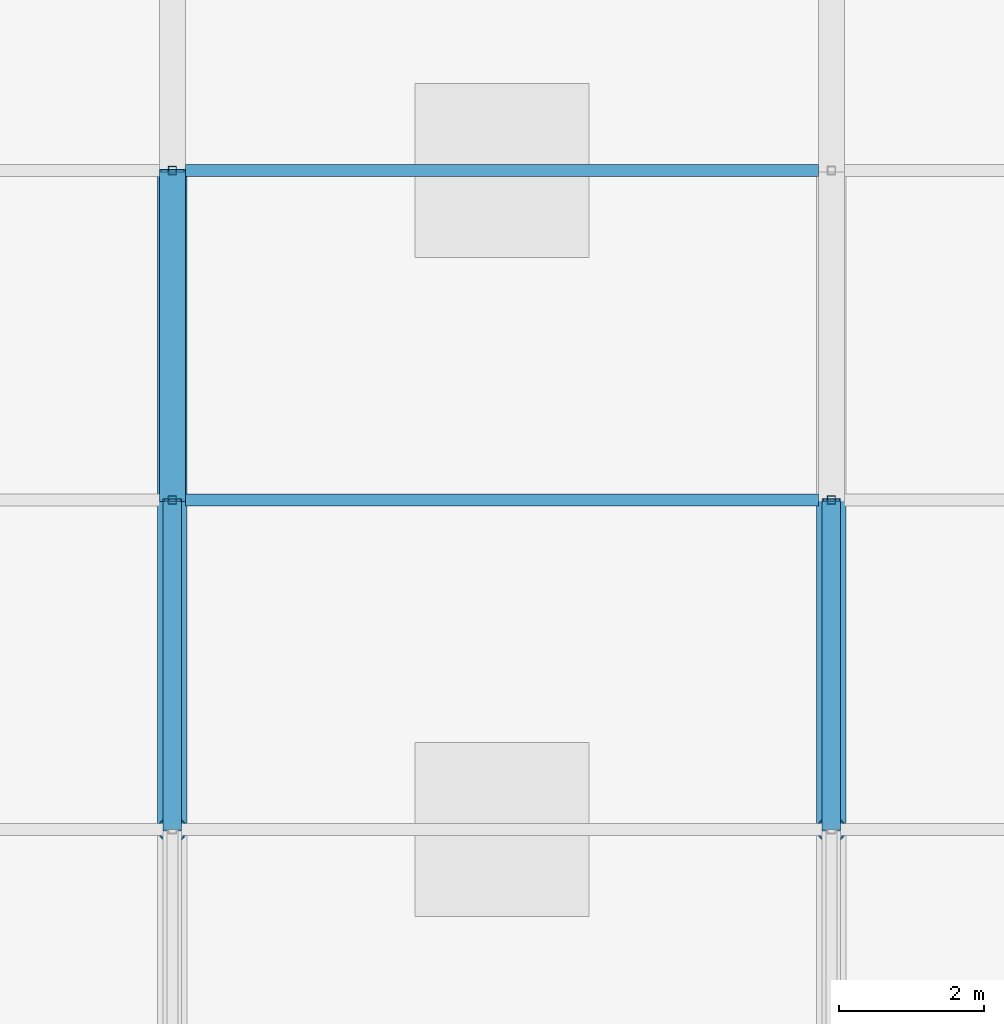
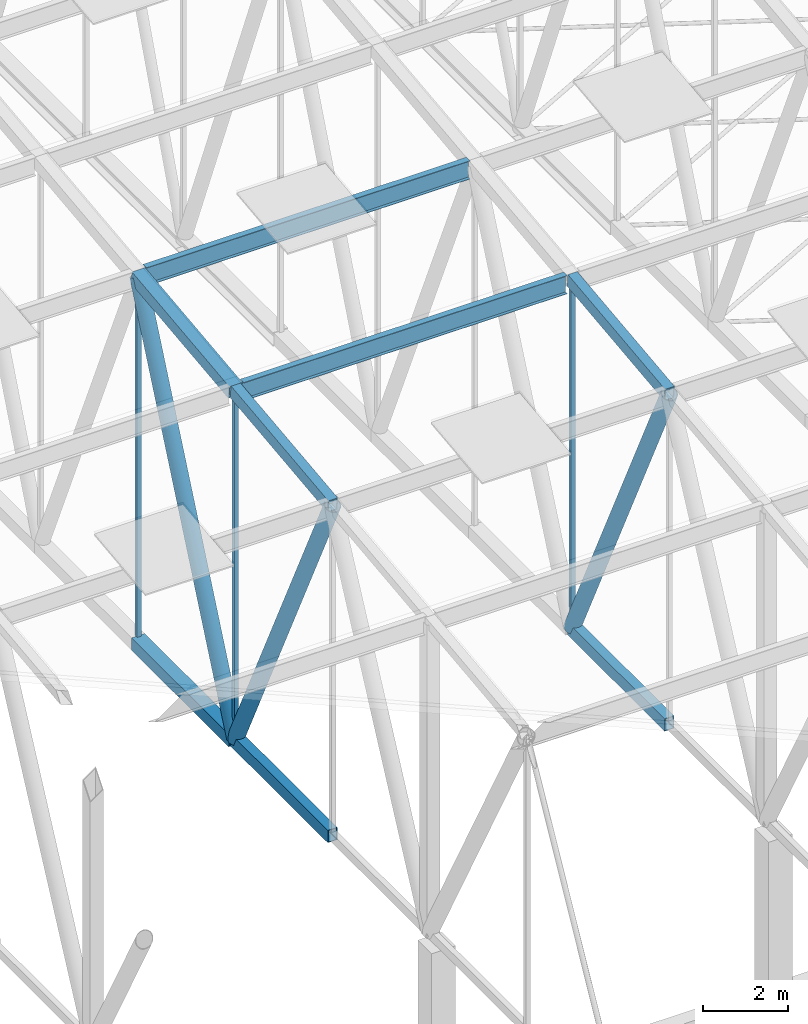
# One storey, part 108 of 500: 14 members.
"""IFC4 building model written with IfcOpenShell, lengths in metres."""

from ifc_helpers import new_model, si_unit, direction, frame, origin, origin_2d, place, context, subcontext, project, spatial, hollow_rectangle, hollow_circle, i_section, extrude, material, material_profile, profile_set, type_object, element, save


model = new_model("IFC4")

# Units and contexts
model_context = context("Model", 3, precision=1e-05, world=origin(), true_north=direction((0.0, 1.0)))
body_context = subcontext(model_context, "Body", "Model", "MODEL_VIEW")
ifc_project = project(units=[si_unit("LENGTHUNIT", "METRE"), si_unit("AREAUNIT", "SQUARE_METRE"), si_unit("VOLUMEUNIT", "CUBIC_METRE"), si_unit("PLANEANGLEUNIT", "RADIAN"), si_unit("MASSUNIT", "GRAM", prefix="KILO")], contexts=[model_context])

# Site, building, storey
site_placement = place(None, origin())
site = spatial("IfcSite", under=ifc_project, at=site_placement, CompositionType="ELEMENT")
building_placement = place(site_placement, origin())
building = spatial("IfcBuilding", under=site, at=building_placement, Name="Shirokan Park Arena", CompositionType="ELEMENT")
storey_placement = place(building_placement, frame((0.0, 0.0, 29.1201171875)))
storey = spatial("IfcBuildingStorey", under=building, at=storey_placement, Name="L06", CompositionType="ELEMENT", Elevation=29.1201171875)

# Members
ifc_material_1 = material(Name="Steel ASTM A500 Grade C", Category="steel")
ifc_material_profile_1 = material_profile(ifc_material_1, hollow_rectangle(XDim=0.25390625, YDim=0.35595703125, WallThickness=0.015869140625, at=origin_2d()), Name="HSS355.6X254X15.9")
ifc_profile_set_1 = profile_set([ifc_material_profile_1], Name="Steel ASTM A500 Grade C")
member_type_1 = type_object("IfcMemberType", Name="Bottom chord HSS355.6X254X15.9", PredefinedType="CHORD", material=ifc_profile_set_1)
for number, where, z_axis, x_axis, name in (
    (1, (72.800048828125, 13.64990234375, 4.677001953125), (0.0, 1.0, 0.0), (-1.0, 0.0, 0.0), "Truss T09 bottom chord 6"),
    (2, (81.89990234375, 13.64990234375, 4.677001953125), (0.0, 1.0, 0.0), (-1.0, 0.0, 0.0), "Truss T10 bottom chord 6"),
):
    element("IfcMember", number, at=place(storey_placement, frame(where, z_axis=z_axis, x_axis=x_axis)), inside=storey, type_object=member_type_1, Name=name, PredefinedType="CHORD", context=body_context, shape_type="SweptSolid", body=[
        extrude(hollow_rectangle(XDim=0.25390625, YDim=0.35595703125, WallThickness=0.015869140625, at=origin_2d()), origin(), (0.0, 0.0, 1.0), 4.550048828125),
    ])
ifc_material_profile_2 = material_profile(ifc_material_1, hollow_rectangle(XDim=0.35595703125, YDim=0.35595703125, WallThickness=0.01904296875, at=origin_2d()), Name="HSS355.6X355.6X19.0")
ifc_profile_set_2 = profile_set([ifc_material_profile_2], Name="Steel ASTM A500 Grade C")
member_type_2 = type_object("IfcMemberType", Name="Bottom chord HSS355.6X355.6X19.0", PredefinedType="CHORD", material=ifc_profile_set_2)
member_1_placement = place(storey_placement, frame((72.800048828125, 18.199951171875, 4.677001953125), z_axis=(0.0, 1.0, 0.0), x_axis=(-1.0, 0.0, 0.0)))
element("IfcMember", 3, at=member_1_placement, inside=storey, type_object=member_type_2, Name="Truss T09 bottom chord 7", PredefinedType="CHORD", context=body_context, shape_type="SweptSolid", body=[
    extrude(hollow_rectangle(XDim=0.35595703125, YDim=0.35595703125, WallThickness=0.01904296875, at=origin_2d()), origin(), (0.0, 0.0, 1.0), 4.550048828125),
])
ifc_material_2 = material(Name="Steel ASTM A992", Category="steel")
ifc_material_profile_3 = material_profile(ifc_material_2, i_section(OverallWidth=0.166015625, OverallDepth=0.528076171875, WebThickness=0.009765625, FlangeThickness=0.013671875, at=origin_2d()), Name="W530X74")
ifc_profile_set_3 = profile_set([ifc_material_profile_3], Name="Steel ASTM A992")
member_type_3 = type_object("IfcMemberType", Name="Purlin W530X74", PredefinedType="PURLIN", material=ifc_profile_set_3)
for number, where, z_axis, x_axis, name in (
    (4, (72.97802734375, 18.199951171875, 14.56591796875), (1.0, 0.0, 0.0), (0.0, 1.0, 0.0), "Purlin 7 bay 9"),
    (5, (72.97802734375, 22.75, 15.0859375), (1.0, 0.0, 0.0), (0.0, 1.0, 0.0), "Purlin 8 bay 9"),
):
    element("IfcMember", number, at=place(storey_placement, frame(where, z_axis=z_axis, x_axis=x_axis)), inside=storey, type_object=member_type_3, Name=name, PredefinedType="PURLIN", context=body_context, shape_type="SweptSolid", body=[
        extrude(i_section(OverallWidth=0.166015625, OverallDepth=0.528076171875, WebThickness=0.009765625, FlangeThickness=0.013671875, at=origin_2d()), origin(), (0.0, 0.0, 1.0), 8.743896484375),
    ])
ifc_material_profile_4 = material_profile(ifc_material_1, hollow_rectangle(XDim=0.25390625, YDim=0.35595703125, WallThickness=0.015869140625, at=origin_2d()), Name="HSS355.6X254X15.9")
ifc_profile_set_4 = profile_set([ifc_material_profile_4], Name="Steel ASTM A500 Grade C")
member_type_4 = type_object("IfcMemberType", Name="Top chord HSS355.6X254X15.9", PredefinedType="CHORD", material=ifc_profile_set_4)
for number, where, z_axis, x_axis, name in (
    (6, (72.800048828125, 13.64990234375, 14.101318359375), (0.0, 0.993532328996, 0.113549598152), (-1.0, 0.0, 0.0), "Truss T09 top chord 6"),
    (7, (81.89990234375, 13.64990234375, 14.101318359375), (0.0, 0.993532328996, 0.113549598152), (-1.0, 0.0, 0.0), "Truss T10 top chord 6"),
):
    element("IfcMember", number, at=place(storey_placement, frame(where, z_axis=z_axis, x_axis=x_axis)), inside=storey, type_object=member_type_4, Name=name, PredefinedType="CHORD", context=body_context, shape_type="SweptSolid", body=[
        extrude(hollow_rectangle(XDim=0.25390625, YDim=0.35595703125, WallThickness=0.015869140625, at=origin_2d()), origin(), (0.0, 0.0, 1.0), 4.57958984375),
    ])
ifc_material_profile_5 = material_profile(ifc_material_1, hollow_rectangle(XDim=0.35595703125, YDim=0.35595703125, WallThickness=0.01904296875, at=origin_2d()), Name="HSS355.6X355.6X19.0")
ifc_profile_set_5 = profile_set([ifc_material_profile_5], Name="Steel ASTM A500 Grade C")
member_type_5 = type_object("IfcMemberType", Name="Top chord HSS355.6X355.6X19.0", PredefinedType="CHORD", material=ifc_profile_set_5)
member_2_placement = place(storey_placement, frame((72.800048828125, 18.199951171875, 14.621337890625), z_axis=(0.0, 0.993532328996, 0.113549598152), x_axis=(-1.0, 0.0, 0.0)))
element("IfcMember", 8, at=member_2_placement, inside=storey, type_object=member_type_5, Name="Truss T09 top chord 7", PredefinedType="CHORD", context=body_context, shape_type="SweptSolid", body=[
    extrude(hollow_rectangle(XDim=0.35595703125, YDim=0.35595703125, WallThickness=0.01904296875, at=origin_2d()), origin(), (0.0, 0.0, 1.0), 4.57958984375),
])
ifc_material_profile_6 = material_profile(ifc_material_1, hollow_circle(Radius=0.202880859375, WallThickness=0.015869140625, at=origin_2d()), Name="HSS406.4X15.9")
ifc_profile_set_6 = profile_set([ifc_material_profile_6], Name="Steel ASTM A500 Grade C")
member_type_6 = type_object("IfcMemberType", Name="Truss diagonal HSS406.4X15.9", PredefinedType="BRACE", material=ifc_profile_set_6)
member_3_placement = place(storey_placement, frame((72.800048828125, 13.64990234375, 14.101318359375), z_axis=(0.0, 0.434778423415, -0.900537463148), x_axis=(-1.0, 0.0, 0.0)))
element("IfcMember", 9, at=member_3_placement, inside=storey, type_object=member_type_6, Name="Truss T09 diagonal 6", PredefinedType="BRACE", context=body_context, shape_type="SweptSolid", body=[
    extrude(hollow_circle(Radius=0.202880859375, WallThickness=0.015869140625, at=origin_2d()), origin(), (0.0, 0.0, 1.0), 10.46533203125),
])
member_4_placement = place(storey_placement, frame((72.800048828125, 18.199951171875, 4.677001953125), z_axis=(0.0, 0.398750364192, 0.917059511186), x_axis=(-1.0, 0.0, 0.0)))
element("IfcMember", 10, at=member_4_placement, inside=storey, type_object=member_type_6, Name="Truss T09 diagonal 7", PredefinedType="BRACE", context=body_context, shape_type="SweptSolid", body=[
    extrude(hollow_circle(Radius=0.202880859375, WallThickness=0.015869140625, at=origin_2d()), origin(), (0.0, 0.0, 1.0), 11.410888671875),
])
member_5_placement = place(storey_placement, frame((81.89990234375, 13.64990234375, 14.101318359375), z_axis=(0.0, 0.434778423415, -0.900537463148), x_axis=(-1.0, 0.0, 0.0)))
element("IfcMember", 11, at=member_5_placement, inside=storey, type_object=member_type_6, Name="Truss T10 diagonal 6", PredefinedType="BRACE", context=body_context, shape_type="SweptSolid", body=[
    extrude(hollow_circle(Radius=0.202880859375, WallThickness=0.015869140625, at=origin_2d()), origin(), (0.0, 0.0, 1.0), 10.46533203125),
])
ifc_material_profile_7 = material_profile(ifc_material_1, hollow_rectangle(XDim=0.114013671875, YDim=0.114013671875, WallThickness=0.00634765625, at=origin_2d()), Name="HSS114.3X114.3X6.4")
ifc_profile_set_7 = profile_set([ifc_material_profile_7], Name="Steel ASTM A500 Grade C")
member_type_7 = type_object("IfcMemberType", Name="Truss post HSS114.3X114.3X6.4", PredefinedType="POST", material=ifc_profile_set_7)
member_6_placement = place(storey_placement, frame((72.800048828125, 18.199951171875, 4.677001953125), z_axis=(0.0, 0.0, 1.0), x_axis=(1.0, 0.0, 0.0)))
element("IfcMember", 12, at=member_6_placement, inside=storey, type_object=member_type_7, Name="Truss T09 post 7", PredefinedType="POST", context=body_context, shape_type="SweptSolid", body=[
    extrude(hollow_rectangle(XDim=0.114013671875, YDim=0.114013671875, WallThickness=0.00634765625, at=origin_2d()), origin(), (0.0, 0.0, 1.0), 9.9443359375),
])
member_7_placement = place(storey_placement, frame((72.800048828125, 22.75, 4.677001953125), z_axis=(0.0, 0.0, 1.0), x_axis=(1.0, 0.0, 0.0)))
element("IfcMember", 13, at=member_7_placement, inside=storey, type_object=member_type_7, Name="Truss T09 post 8", PredefinedType="POST", context=body_context, shape_type="SweptSolid", body=[
    extrude(hollow_rectangle(XDim=0.114013671875, YDim=0.114013671875, WallThickness=0.00634765625, at=origin_2d()), origin(), (0.0, 0.0, 1.0), 10.46435546875),
])
member_8_placement = place(storey_placement, frame((81.89990234375, 18.199951171875, 4.677001953125), z_axis=(0.0, 0.0, 1.0), x_axis=(1.0, 0.0, 0.0)))
element("IfcMember", 14, at=member_8_placement, inside=storey, type_object=member_type_7, Name="Truss T10 post 7", PredefinedType="POST", context=body_context, shape_type="SweptSolid", body=[
    extrude(hollow_rectangle(XDim=0.114013671875, YDim=0.114013671875, WallThickness=0.00634765625, at=origin_2d()), origin(), (0.0, 0.0, 1.0), 9.9443359375),
])

save(model, "model.ifc")
